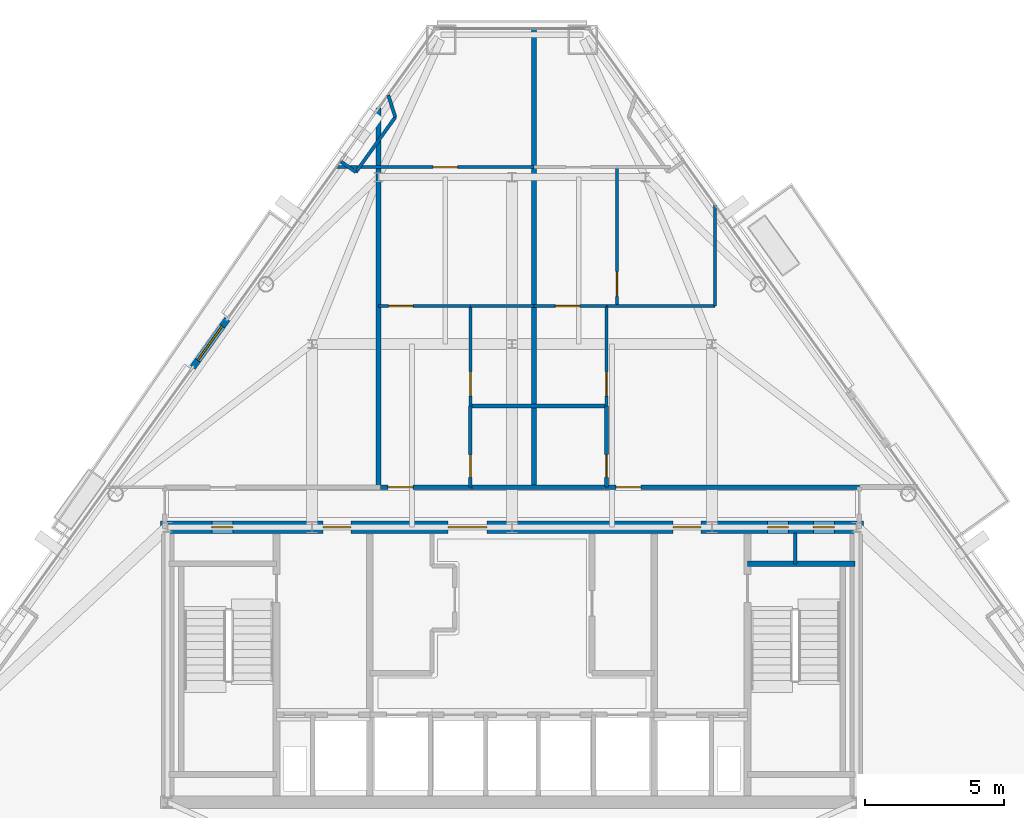
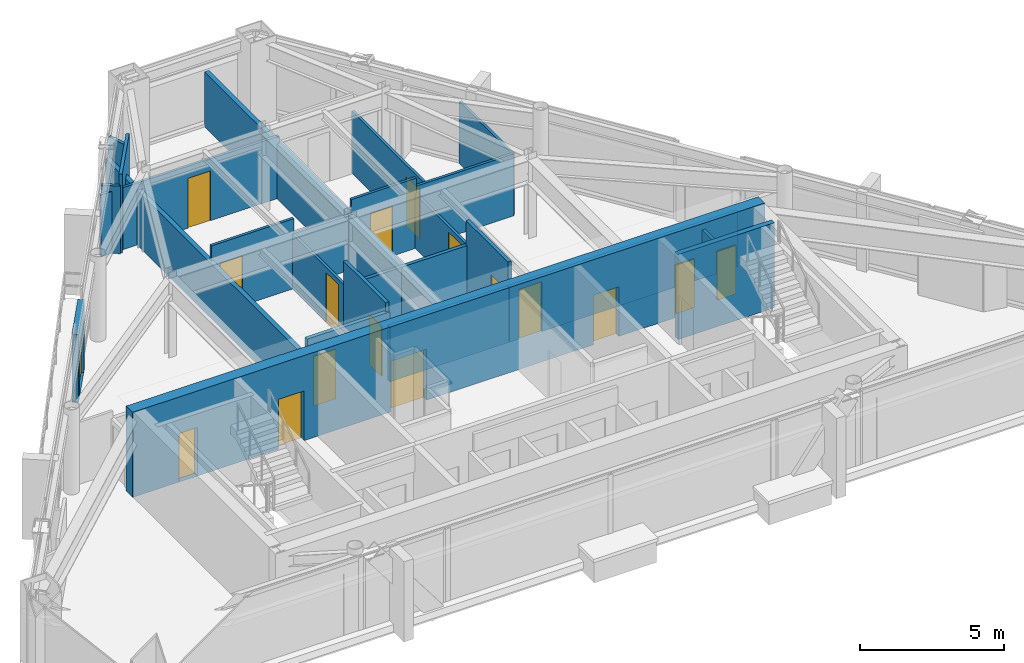
# One storey, part 8 of 11: 24 walls, 17 doors, 17 openings.
"""IFC4 building model written with IfcOpenShell, lengths in metres."""

from ifc_helpers import new_model, si_unit, direction, frame, frame_2d, origin, place, context, subcontext, project, spatial, rectangle, extrude, material, layer, layer_set, type_object, element, fill, save


model = new_model("IFC4")

# Units and contexts
model_context = context("Model", 3, precision=1e-05, world=origin(), true_north=direction((0.0, 1.0)))
body_context = subcontext(model_context, "Body", "Model", "MODEL_VIEW")
ifc_project = project(units=[si_unit("LENGTHUNIT", "METRE"), si_unit("AREAUNIT", "SQUARE_METRE"), si_unit("VOLUMEUNIT", "CUBIC_METRE"), si_unit("PLANEANGLEUNIT", "RADIAN"), si_unit("MASSUNIT", "GRAM", prefix="KILO")], contexts=[model_context])

# Site, building, storey
site_placement = place(None, origin())
site = spatial("IfcSite", under=ifc_project, at=site_placement, CompositionType="ELEMENT")
building_placement = place(site_placement, origin())
building = spatial("IfcBuilding", under=site, at=building_placement, Name="Talgorran Terracotta Tower", CompositionType="ELEMENT")
storey_placement = place(building_placement, frame((0.0, 0.0, 233.39990234375)))
storey = spatial("IfcBuildingStorey", under=building, at=storey_placement, Name="L61", CompositionType="ELEMENT", Elevation=233.39990234375)

# Wall, opening, door
ifc_material_1 = material(Name="Concrete C40/50", Category="concrete")
ifc_layer_1 = layer(ifc_material_1, 0.239990234375, Name="WT_BALCONY_SPAND")
ifc_layer_set_1 = layer_set([ifc_layer_1], Name="Concrete C40/50")
wall_type_1 = type_object("IfcWallType", Name="WT_BALCONY_SPAND", PredefinedType="STANDARD", material=ifc_layer_set_1)
wall_1_placement = place(storey_placement, frame((-10.248779296875, 3.293212890625, -0.014892578125), z_axis=(0.0, 0.0, 1.0), x_axis=(-0.58265081445, -0.812722602381, 0.0)))
wall_1 = element("IfcWall", 1, at=wall_1_placement, inside=storey, type_object=wall_type_1, Name="WL-L61-BALP-BAL-NW", PredefinedType="STANDARD", context=body_context, shape_type="SweptSolid", body=[
    extrude(rectangle(XDim=2.140380859375, YDim=0.239990234375, at=frame_2d((1.0703125, 0.0))), origin(), (0.0, 0.0, 1.0), 2.8779296875),
])
opening_1_placement = place(wall_1_placement, frame((0.320068359375, 0.0, 0.014892578125)))
opening_1 = element("IfcOpeningElement", 2, at=opening_1_placement, cuts=wall_1, Name="Opening D-BAL-L61-2", PredefinedType="OPENING", context=body_context, shape_type="SweptSolid", body=[
    extrude(rectangle(XDim=1.506, YDim=2.203951171875, at=frame_2d((0.75, 1.10205078125))), frame((0.0, 0.1298828125, 0.0), z_axis=(0.0, -1.0, 0.0), x_axis=(1.0, 0.0, 0.0)), (0.0, 0.0, 1.0), 0.260009765625),
])
ifc_material_2 = material(Name="Thermally Broken Aluminium", Category="aluminium")
door_type_1 = type_object("IfcDoorType", Name="DT_BALC_1500", OperationType="SLIDING_TO_RIGHT", PredefinedType="DOOR", material=ifc_material_2)
door_1_placement = place(opening_1_placement, origin())
door_1 = element("IfcDoor", 3, at=door_1_placement, inside=storey, type_object=door_type_1, Name="DR-L61-BAL-BAL-NW", OperationType="SLIDING_TO_RIGHT", OverallHeight=2.199951171875, OverallWidth=1.5, PredefinedType="DOOR", context=body_context, shape_type="SweptSolid", body=[
    extrude(rectangle(XDim=1.5, YDim=2.199951171875, at=frame_2d((0.75, 1.10009765625))), frame((0.0, 0.02490234375, 0.0), z_axis=(0.0, -1.0, 0.0), x_axis=(1.0, 0.0, 0.0)), (0.0, 0.0, 1.0), 0.050048828125),
])
fill(opening_1, door_1)

# Wall
ifc_material_3 = material(Name="Concrete C50/60", Category="concrete")
ifc_layer_2 = layer(ifc_material_3, 0.199951171875, Name="WT_CORE_200")
ifc_layer_set_2 = layer_set([ifc_layer_2], Name="Concrete C50/60")
wall_type_2 = type_object("IfcWallType", Name="WT_CORE_200", PredefinedType="SOLIDWALL", material=ifc_layer_set_2)
wall_2_placement = place(storey_placement, frame((8.47998046875, -5.52001953125, 0.0), z_axis=(0.0, 0.0, 1.0), x_axis=(1.0, 0.0, 0.0)))
element("IfcWall", 4, at=wall_2_placement, inside=storey, type_object=wall_type_2, Name="WL-L61-CW-ST2-N", PredefinedType="SOLIDWALL", context=body_context, shape_type="SweptSolid", body=[
    extrude(rectangle(XDim=3.8701171875, YDim=0.199951171875, at=frame_2d((1.93505859375, 0.0))), origin(), (0.0, 0.0, 1.0), 3.60009765625),
])

# Wall, openings, doors
ifc_material_4 = material(Name="Concrete C65/80", Category="concrete")
ifc_layer_3 = layer(ifc_material_4, 0.449951171875, Name="WT_CORE_EXT")
ifc_layer_set_3 = layer_set([ifc_layer_3], Name="Concrete C65/80")
wall_type_3 = type_object("IfcWallType", Name="WT_CORE_EXT", PredefinedType="SHEAR", material=ifc_layer_set_3)
wall_3_placement = place(storey_placement, frame((-12.64990234375, -4.199951171875, 0.0), z_axis=(0.0, 0.0, 1.0), x_axis=(1.0, 0.0, 0.0)))
wall_3 = element("IfcWall", 5, at=wall_3_placement, inside=storey, type_object=wall_type_3, Name="WL-L61-CW-OUT-N", PredefinedType="SHEAR", context=body_context, shape_type="SweptSolid", body=[
    extrude(rectangle(XDim=25.2998046875, YDim=0.449951171875, at=frame_2d((12.64990234375, 0.0))), origin(), (0.0, 0.0, 1.0), 3.60009765625),
])
opening_2_placement = place(wall_3_placement, frame((1.85009765625, 0.0, 0.0)))
opening_2 = element("IfcOpeningElement", 6, at=opening_2_placement, cuts=wall_3, Name="Opening DR-CSN1", PredefinedType="OPENING", context=body_context, shape_type="SweptSolid", body=[
    extrude(rectangle(XDim=0.756, YDim=2.054048828125, at=frame_2d((0.375, 1.027099609375))), frame((0.0, 0.23486328125, 0.0), z_axis=(0.0, -1.0, 0.0), x_axis=(1.0, 0.0, 0.0)), (0.0, 0.0, 1.0), 0.469970703125),
])
opening_3_placement = place(wall_3_placement, frame((21.85009765625, 0.0, 0.0)))
opening_3 = element("IfcOpeningElement", 7, at=opening_3_placement, cuts=wall_3, Name="Opening DR-CSN2", PredefinedType="OPENING", context=body_context, shape_type="SweptSolid", body=[
    extrude(rectangle(XDim=0.756, YDim=2.054048828125, at=frame_2d((0.375, 1.027099609375))), frame((0.0, 0.23486328125, 0.0), z_axis=(0.0, -1.0, 0.0), x_axis=(1.0, 0.0, 0.0)), (0.0, 0.0, 1.0), 0.469970703125),
])
opening_4_placement = place(wall_3_placement, frame((23.5, 0.0, 0.0)))
opening_4 = element("IfcOpeningElement", 8, at=opening_4_placement, cuts=wall_3, Name="Opening DR-CSN3", PredefinedType="OPENING", context=body_context, shape_type="SweptSolid", body=[
    extrude(rectangle(XDim=0.756, YDim=2.054048828125, at=frame_2d((0.375, 1.027099609375))), frame((0.0, 0.23486328125, 0.0), z_axis=(0.0, -1.0, 0.0), x_axis=(1.0, 0.0, 0.0)), (0.0, 0.0, 1.0), 0.469970703125),
])
opening_5_placement = place(wall_3_placement, frame((5.85009765625, 0.0, 0.0)))
opening_5 = element("IfcOpeningElement", 9, at=opening_5_placement, cuts=wall_3, Name="Opening DR-FFLW-N", PredefinedType="OPENING", context=body_context, shape_type="SweptSolid", body=[
    extrude(rectangle(XDim=1.006, YDim=2.10409765625, at=frame_2d((0.5, 1.052001953125))), frame((0.0, 0.23486328125, 0.0), z_axis=(0.0, -1.0, 0.0), x_axis=(1.0, 0.0, 0.0)), (0.0, 0.0, 1.0), 0.469970703125),
])
opening_6_placement = place(wall_3_placement, frame((10.35009765625, 0.0, 0.0)))
opening_6 = element("IfcOpeningElement", 10, at=opening_6_placement, cuts=wall_3, Name="Opening DR-PLL-N", PredefinedType="OPENING", context=body_context, shape_type="SweptSolid", body=[
    extrude(rectangle(XDim=1.40590234375, YDim=2.15390234375, at=frame_2d((0.699951171875, 1.076904296875))), frame((0.0, 0.23486328125, 0.0), z_axis=(0.0, -1.0, 0.0), x_axis=(1.0, 0.0, 0.0)), (0.0, 0.0, 1.0), 0.469970703125),
])
opening_7_placement = place(wall_3_placement, frame((18.449951171875, 0.0, 0.0)))
opening_7 = element("IfcOpeningElement", 11, at=opening_7_placement, cuts=wall_3, Name="Opening DR-FFLE-N", PredefinedType="OPENING", context=body_context, shape_type="SweptSolid", body=[
    extrude(rectangle(XDim=1.006, YDim=2.10409765625, at=frame_2d((0.5, 1.052001953125))), frame((0.0, 0.23486328125, 0.0), z_axis=(0.0, -1.0, 0.0), x_axis=(1.0, 0.0, 0.0)), (0.0, 0.0, 1.0), 0.469970703125),
])
ifc_material_5 = material(Name="Acoustic Glazed Timber", Category="wood")
door_type_2 = type_object("IfcDoorType", Name="DT_DOUBLE_1400", OperationType="DOUBLE_DOOR_SINGLE_SWING", PredefinedType="DOOR", material=ifc_material_5)
door_2_placement = place(opening_6_placement, origin())
door_2 = element("IfcDoor", 12, at=door_2_placement, inside=storey, type_object=door_type_2, Name="DR-PLL-N", OperationType="DOUBLE_DOOR_SINGLE_SWING", OverallHeight=2.14990234375, OverallWidth=1.39990234375, PredefinedType="DOOR", context=body_context, shape_type="SweptSolid", body=[
    extrude(rectangle(XDim=1.39990234375, YDim=2.14990234375, at=frame_2d((0.699951171875, 1.074951171875))), frame((0.0, 0.02490234375, 0.0), z_axis=(0.0, -1.0, 0.0), x_axis=(1.0, 0.0, 0.0)), (0.0, 0.0, 1.0), 0.050048828125),
])
fill(opening_6, door_2)
ifc_material_6 = material(Name="Fire-Rated Pressed Steel", Category="steel")
door_type_3 = type_object("IfcDoorType", Name="DT_FIRE_1000", OperationType="NOTDEFINED", PredefinedType="DOOR", material=ifc_material_6)
door_3_placement = place(opening_5_placement, origin())
door_3 = element("IfcDoor", 13, at=door_3_placement, inside=storey, type_object=door_type_3, Name="DR-FFLW-N", OperationType="SINGLE_SWING_LEFT", OverallHeight=2.10009765625, OverallWidth=1.0, PredefinedType="DOOR", context=body_context, shape_type="SweptSolid", body=[
    extrude(rectangle(XDim=1.0, YDim=2.10009765625, at=frame_2d((0.5, 1.050048828125))), frame((0.0, 0.02490234375, 0.0), z_axis=(0.0, -1.0, 0.0), x_axis=(1.0, 0.0, 0.0)), (0.0, 0.0, 1.0), 0.050048828125),
])
fill(opening_5, door_3)
door_4_placement = place(opening_7_placement, origin())
door_4 = element("IfcDoor", 14, at=door_4_placement, inside=storey, type_object=door_type_3, Name="DR-FFLE-N", OperationType="SINGLE_SWING_RIGHT", OverallHeight=2.10009765625, OverallWidth=1.0, PredefinedType="DOOR", context=body_context, shape_type="SweptSolid", body=[
    extrude(rectangle(XDim=1.0, YDim=2.10009765625, at=frame_2d((0.5, 1.050048828125))), frame((0.0, 0.02490234375, 0.0), z_axis=(0.0, -1.0, 0.0), x_axis=(1.0, 0.0, 0.0)), (0.0, 0.0, 1.0), 0.050048828125),
])
fill(opening_7, door_4)
door_type_4 = type_object("IfcDoorType", Name="DT_RISER_750", OperationType="NOTDEFINED", PredefinedType="DOOR", material=ifc_material_6)
door_5_placement = place(opening_2_placement, origin())
door_5 = element("IfcDoor", 15, at=door_5_placement, inside=storey, type_object=door_type_4, Name="DR-CSN1", OperationType="SINGLE_SWING_LEFT", OverallHeight=2.050048828125, OverallWidth=0.75, PredefinedType="DOOR", context=body_context, shape_type="SweptSolid", body=[
    extrude(rectangle(XDim=0.75, YDim=2.050048828125, at=frame_2d((0.375, 1.02490234375))), frame((0.0, 0.02490234375, 0.0), z_axis=(0.0, -1.0, 0.0), x_axis=(1.0, 0.0, 0.0)), (0.0, 0.0, 1.0), 0.050048828125),
])
fill(opening_2, door_5)
door_6_placement = place(opening_3_placement, origin())
door_6 = element("IfcDoor", 16, at=door_6_placement, inside=storey, type_object=door_type_4, Name="DR-CSN2", OperationType="SINGLE_SWING_LEFT", OverallHeight=2.050048828125, OverallWidth=0.75, PredefinedType="DOOR", context=body_context, shape_type="SweptSolid", body=[
    extrude(rectangle(XDim=0.75, YDim=2.050048828125, at=frame_2d((0.375, 1.02490234375))), frame((0.0, 0.02490234375, 0.0), z_axis=(0.0, -1.0, 0.0), x_axis=(1.0, 0.0, 0.0)), (0.0, 0.0, 1.0), 0.050048828125),
])
fill(opening_3, door_6)
door_7_placement = place(opening_4_placement, origin())
door_7 = element("IfcDoor", 17, at=door_7_placement, inside=storey, type_object=door_type_4, Name="DR-CSN3", OperationType="SINGLE_SWING_RIGHT", OverallHeight=2.050048828125, OverallWidth=0.75, PredefinedType="DOOR", context=body_context, shape_type="SweptSolid", body=[
    extrude(rectangle(XDim=0.75, YDim=2.050048828125, at=frame_2d((0.375, 1.02490234375))), frame((0.0, 0.02490234375, 0.0), z_axis=(0.0, -1.0, 0.0), x_axis=(1.0, 0.0, 0.0)), (0.0, 0.0, 1.0), 0.050048828125),
])
fill(opening_4, door_7)

# Wall, opening, door
ifc_material_7 = material(Name="Fire-Rated Steel Stud Plasterboard", Category="steel")
ifc_layer_4 = layer(ifc_material_7, 0.14990234375, Name="WT_FIRE_150")
ifc_layer_set_4 = layer_set([ifc_layer_4], Name="Fire-Rated Steel Stud Plasterboard")
wall_type_4 = type_object("IfcWallType", Name="WT_FIRE_150", PredefinedType="PARTITIONING", material=ifc_layer_set_4)
wall_4_placement = place(storey_placement, frame((3.340087890625, -2.760009765625, 0.0), z_axis=(0.0, 0.0, 1.0), x_axis=(1.0, 0.0, 0.0)))
wall_4 = element("IfcWall", 18, at=wall_4_placement, inside=storey, type_object=wall_type_4, Name="WL-L61-W-L61-R07", PredefinedType="PARTITIONING", context=body_context, shape_type="SweptSolid", body=[
    extrude(rectangle(XDim=9.159912109375, YDim=0.14990234375, at=frame_2d((4.580078125, 0.0))), origin(), (0.0, 0.0, 1.0), 2.320068359375),
])
opening_8_placement = place(wall_4_placement, frame((0.3994140625, 0.0, 0.0)))
opening_8 = element("IfcOpeningElement", 19, at=opening_8_placement, cuts=wall_4, Name="Opening DR-L61-R11", PredefinedType="OPENING", context=body_context, shape_type="SweptSolid", body=[
    extrude(rectangle(XDim=0.90590234375, YDim=2.10409765625, at=frame_2d((0.449951171875, 1.052001953125))), frame((0.0, 0.0849609375, 0.0), z_axis=(0.0, -1.0, 0.0), x_axis=(1.0, 0.0, 0.0)), (0.0, 0.0, 1.0), 0.169921875),
])
ifc_material_8 = material(Name="Fire-Rated Timber Core", Category="wood")
door_type_5 = type_object("IfcDoorType", Name="DT_FIRE_900", OperationType="NOTDEFINED", PredefinedType="DOOR", material=ifc_material_8)
door_8_placement = place(opening_8_placement, origin())
door_8 = element("IfcDoor", 20, at=door_8_placement, inside=storey, type_object=door_type_5, Name="DR-L61-R11", OperationType="SINGLE_SWING_LEFT", OverallHeight=2.10009765625, OverallWidth=0.89990234375, PredefinedType="DOOR", context=body_context, shape_type="SweptSolid", body=[
    extrude(rectangle(XDim=0.89990234375, YDim=2.10009765625, at=frame_2d((0.449951171875, 1.050048828125))), frame((0.0, 0.02490234375, 0.0), z_axis=(0.0, -1.0, 0.0), x_axis=(1.0, 0.0, 0.0)), (0.0, 0.0, 1.0), 0.050048828125),
])
fill(opening_8, door_8)

wall_5_placement = place(storey_placement, frame((-4.738037109375, -2.760009765625, 0.0), z_axis=(0.0, 0.0, 1.0), x_axis=(1.0, 0.0, 0.0)))
wall_5 = element("IfcWall", 21, at=wall_5_placement, inside=storey, type_object=wall_type_4, Name="WL-L61-W-L61-R05", PredefinedType="PARTITIONING", context=body_context, shape_type="SweptSolid", body=[
    extrude(rectangle(XDim=3.298095703125, YDim=0.14990234375, at=frame_2d((1.64892578125, 0.0))), origin(), (0.0, 0.0, 1.0), 2.964599609375),
])
opening_9_placement = place(wall_5_placement, frame((0.273193359375, 0.0, 0.0)))
opening_9 = element("IfcOpeningElement", 22, at=opening_9_placement, cuts=wall_5, Name="Opening DR-L61-R06", PredefinedType="OPENING", context=body_context, shape_type="SweptSolid", body=[
    extrude(rectangle(XDim=0.90590234375, YDim=2.10409765625, at=frame_2d((0.449951171875, 1.052001953125))), frame((0.0, 0.0849609375, 0.0), z_axis=(0.0, -1.0, 0.0), x_axis=(1.0, 0.0, 0.0)), (0.0, 0.0, 1.0), 0.169921875),
])
door_9_placement = place(opening_9_placement, origin())
door_9 = element("IfcDoor", 23, at=door_9_placement, inside=storey, type_object=door_type_5, Name="DR-L61-R06", OperationType="SINGLE_SWING_RIGHT", OverallHeight=2.10009765625, OverallWidth=0.89990234375, PredefinedType="DOOR", context=body_context, shape_type="SweptSolid", body=[
    extrude(rectangle(XDim=0.89990234375, YDim=2.10009765625, at=frame_2d((0.449951171875, 1.050048828125))), frame((0.0, 0.02490234375, 0.0), z_axis=(0.0, -1.0, 0.0), x_axis=(1.0, 0.0, 0.0)), (0.0, 0.0, 1.0), 0.050048828125),
])
fill(opening_9, door_9)

# Walls
wall_6_placement = place(storey_placement, frame((-1.43798828125, -2.760009765625, 0.0), z_axis=(0.0, 0.0, 1.0), x_axis=(1.0, 0.0, 0.0)))
element("IfcWall", 24, at=wall_6_placement, inside=storey, type_object=wall_type_4, Name="WL-L61-W-L61-R06", PredefinedType="PARTITIONING", context=body_context, shape_type="SweptSolid", body=[
    extrude(rectangle(XDim=4.77587890625, YDim=0.14990234375, at=frame_2d((2.387939453125, 0.0))), origin(), (0.0, 0.0, 1.0), 2.320068359375),
])
ifc_material_9 = material(Name="Acoustic Stud and Plasterboard")
ifc_layer_5 = layer(ifc_material_9, 0.179931640625, Name="WT_PARTY_200")
ifc_layer_set_5 = layer_set([ifc_layer_5], Name="Acoustic Stud and Plasterboard")
wall_type_5 = type_object("IfcWallType", Name="WT_PARTY_200", PredefinedType="PARTITIONING", material=ifc_layer_set_5)
wall_7_placement = place(storey_placement, frame((-4.800048828125, -2.739990234375, 0.0), z_axis=(0.0, 0.0, 1.0), x_axis=(0.0, 1.0, 0.0)))
element("IfcWall", 25, at=wall_7_placement, inside=storey, type_object=wall_type_5, Name="WL-L61-W-L61-R11", PredefinedType="PARTITIONING", context=body_context, shape_type="SweptSolid", body=[
    extrude(rectangle(XDim=13.63330078125, YDim=0.179931640625, at=frame_2d((6.816650390625, 0.0))), origin(), (0.0, 0.0, 1.0), 2.320068359375),
])
wall_8_placement = place(storey_placement, frame((0.800048828125, -2.760009765625, 0.0), z_axis=(0.0, 0.0, 1.0), x_axis=(0.0, 1.0, 0.0)))
element("IfcWall", 26, at=wall_8_placement, inside=storey, type_object=wall_type_5, Name="WL-L61-W-L61-R21", PredefinedType="PARTITIONING", context=body_context, shape_type="SweptSolid", body=[
    extrude(rectangle(XDim=16.508544921875, YDim=0.179931640625, at=frame_2d((8.25439453125, 0.0))), origin(), (0.0, 0.0, 1.0), 2.320068359375),
])

# Wall, opening, door
ifc_material_10 = material(Name="Lightweight Steel Stud Partition", Category="steel")
ifc_layer_6 = layer(ifc_material_10, 0.10498046875, Name="WT_PART_110")
ifc_layer_set_6 = layer_set([ifc_layer_6], Name="Lightweight Steel Stud Partition")
wall_type_6 = type_object("IfcWallType", Name="WT_PART_110", PredefinedType="PARTITIONING", material=ifc_layer_set_6)
wall_9_placement = place(storey_placement, frame((-6.329345703125, 8.760009765625, 0.0), z_axis=(0.0, 0.0, 1.0), x_axis=(1.0, 0.0, 0.0)))
wall_9 = element("IfcWall", 27, at=wall_9_placement, inside=storey, type_object=wall_type_6, Name="WL-L61-W-L61-R20", PredefinedType="PARTITIONING", context=body_context, shape_type="SweptSolid", body=[
    extrude(rectangle(XDim=7.12939453125, YDim=0.10498046875, at=frame_2d((3.564697265625, 0.0))), origin(), (0.0, 0.0, 1.0), 2.6201171875),
])
opening_10_placement = place(wall_9_placement, frame((3.489501953125, 0.0, 0.0)))
opening_10 = element("IfcOpeningElement", 28, at=opening_10_placement, cuts=wall_9, Name="Opening DR-L61-R08", PredefinedType="OPENING", context=body_context, shape_type="SweptSolid", body=[
    extrude(rectangle(XDim=0.8858828125, YDim=2.10409765625, at=frame_2d((0.43994140625, 1.052001953125))), frame((0.0, 0.0625, 0.0), z_axis=(0.0, -1.0, 0.0), x_axis=(1.0, 0.0, 0.0)), (0.0, 0.0, 1.0), 0.125),
])
ifc_material_11 = material(Name="Solid-Core Painted Timber", Category="wood")
door_type_6 = type_object("IfcDoorType", Name="DT_INT_880", OperationType="NOTDEFINED", PredefinedType="DOOR", material=ifc_material_11)
door_10_placement = place(opening_10_placement, origin())
door_10 = element("IfcDoor", 29, at=door_10_placement, inside=storey, type_object=door_type_6, Name="DR-L61-R08", OperationType="SINGLE_SWING_RIGHT", OverallHeight=2.10009765625, OverallWidth=0.8798828125, PredefinedType="DOOR", context=body_context, shape_type="SweptSolid", body=[
    extrude(rectangle(XDim=0.8798828125, YDim=2.10009765625, at=frame_2d((0.43994140625, 1.050048828125))), frame((0.0, 0.02490234375, 0.0), z_axis=(0.0, -1.0, 0.0), x_axis=(1.0, 0.0, 0.0)), (0.0, 0.0, 1.0), 0.050048828125),
])
fill(opening_10, door_10)

wall_10_placement = place(storey_placement, frame((3.780029296875, 3.760009765625, 0.0), z_axis=(0.0, 0.0, 1.0), x_axis=(0.0, 1.0, 0.0)))
wall_10 = element("IfcWall", 30, at=wall_10_placement, inside=storey, type_object=wall_type_6, Name="WL-L61-W-L61-R30", PredefinedType="PARTITIONING", context=body_context, shape_type="SweptSolid", body=[
    extrude(rectangle(XDim=5.0, YDim=0.10498046875, at=frame_2d((2.5, 0.0))), origin(), (0.0, 0.0, 1.0), 2.6201171875),
])
opening_11_placement = place(wall_10_placement, frame((0.357666015625, 0.0, 0.0)))
opening_11 = element("IfcOpeningElement", 31, at=opening_11_placement, cuts=wall_10, Name="Opening DR-L61-R13", PredefinedType="OPENING", context=body_context, shape_type="SweptSolid", body=[
    extrude(rectangle(XDim=0.8858828125, YDim=2.10409765625, at=frame_2d((0.43994140625, 1.052001953125))), frame((0.0, 0.0625, 0.0), z_axis=(0.0, -1.0, 0.0), x_axis=(1.0, 0.0, 0.0)), (0.0, 0.0, 1.0), 0.125),
])
door_11_placement = place(opening_11_placement, origin())
door_11 = element("IfcDoor", 32, at=door_11_placement, inside=storey, type_object=door_type_6, Name="DR-L61-R13", OperationType="SINGLE_SWING_LEFT", OverallHeight=2.10009765625, OverallWidth=0.8798828125, PredefinedType="DOOR", context=body_context, shape_type="SweptSolid", body=[
    extrude(rectangle(XDim=0.8798828125, YDim=2.10009765625, at=frame_2d((0.43994140625, 1.050048828125))), frame((0.0, 0.02490234375, 0.0), z_axis=(0.0, -1.0, 0.0), x_axis=(1.0, 0.0, 0.0)), (0.0, 0.0, 1.0), 0.050048828125),
])
fill(opening_11, door_11)

# Wall
wall_11_placement = place(storey_placement, frame((7.300048828125, 3.760009765625, 0.0), z_axis=(0.0, 0.0, 1.0), x_axis=(0.0, 1.0, 0.0)))
element("IfcWall", 33, at=wall_11_placement, inside=storey, type_object=wall_type_6, Name="WL-L61-W-L61-R29", PredefinedType="PARTITIONING", context=body_context, shape_type="SweptSolid", body=[
    extrude(rectangle(XDim=3.646240234375, YDim=0.10498046875, at=frame_2d((1.8232421875, 0.0))), origin(), (0.0, 0.0, 1.0), 2.6201171875),
])

# Wall, opening, door
wall_12_placement = place(storey_placement, frame((-1.5, 0.159912109375, 0.0), z_axis=(0.0, 0.0, 1.0), x_axis=(0.0, 1.0, 0.0)))
wall_12 = element("IfcWall", 34, at=wall_12_placement, inside=storey, type_object=wall_type_6, Name="WL-L61-W-L61-R16", PredefinedType="PARTITIONING", context=body_context, shape_type="SweptSolid", body=[
    extrude(rectangle(XDim=3.60009765625, YDim=0.10498046875, at=frame_2d((1.800048828125, 0.0))), origin(), (0.0, 0.0, 1.0), 2.320068359375),
])
opening_12_placement = place(wall_12_placement, frame((0.360107421875, 0.0, 0.0)))
opening_12 = element("IfcOpeningElement", 35, at=opening_12_placement, cuts=wall_12, Name="Opening DR-L61-R05", PredefinedType="OPENING", context=body_context, shape_type="SweptSolid", body=[
    extrude(rectangle(XDim=0.8858828125, YDim=2.10409765625, at=frame_2d((0.43994140625, 1.052001953125))), frame((0.0, 0.0625, 0.0), z_axis=(0.0, -1.0, 0.0), x_axis=(1.0, 0.0, 0.0)), (0.0, 0.0, 1.0), 0.125),
])
door_12_placement = place(opening_12_placement, origin())
door_12 = element("IfcDoor", 36, at=door_12_placement, inside=storey, type_object=door_type_6, Name="DR-L61-R05", OperationType="SINGLE_SWING_LEFT", OverallHeight=2.10009765625, OverallWidth=0.8798828125, PredefinedType="DOOR", context=body_context, shape_type="SweptSolid", body=[
    extrude(rectangle(XDim=0.8798828125, YDim=2.10009765625, at=frame_2d((0.43994140625, 1.050048828125))), frame((0.0, 0.02490234375, 0.0), z_axis=(0.0, -1.0, 0.0), x_axis=(1.0, 0.0, 0.0)), (0.0, 0.0, 1.0), 0.050048828125),
])
fill(opening_12, door_12)

wall_13_placement = place(storey_placement, frame((3.39990234375, 0.159912109375, 0.0), z_axis=(0.0, 0.0, 1.0), x_axis=(0.0, 1.0, 0.0)))
wall_13 = element("IfcWall", 37, at=wall_13_placement, inside=storey, type_object=wall_type_6, Name="WL-L61-W-L61-R25", PredefinedType="PARTITIONING", context=body_context, shape_type="SweptSolid", body=[
    extrude(rectangle(XDim=3.60009765625, YDim=0.10498046875, at=frame_2d((1.800048828125, 0.0))), origin(), (0.0, 0.0, 1.0), 2.320068359375),
])
opening_13_placement = place(wall_13_placement, frame((0.360107421875, 0.0, 0.0)))
opening_13 = element("IfcOpeningElement", 38, at=opening_13_placement, cuts=wall_13, Name="Opening DR-L61-R10", PredefinedType="OPENING", context=body_context, shape_type="SweptSolid", body=[
    extrude(rectangle(XDim=0.8858828125, YDim=2.10409765625, at=frame_2d((0.43994140625, 1.052001953125))), frame((0.0, 0.0625, 0.0), z_axis=(0.0, -1.0, 0.0), x_axis=(1.0, 0.0, 0.0)), (0.0, 0.0, 1.0), 0.125),
])
door_13_placement = place(opening_13_placement, origin())
door_13 = element("IfcDoor", 39, at=door_13_placement, inside=storey, type_object=door_type_6, Name="DR-L61-R10", OperationType="SINGLE_SWING_RIGHT", OverallHeight=2.10009765625, OverallWidth=0.8798828125, PredefinedType="DOOR", context=body_context, shape_type="SweptSolid", body=[
    extrude(rectangle(XDim=0.8798828125, YDim=2.10009765625, at=frame_2d((0.43994140625, 1.050048828125))), frame((0.0, 0.02490234375, 0.0), z_axis=(0.0, -1.0, 0.0), x_axis=(1.0, 0.0, 0.0)), (0.0, 0.0, 1.0), 0.050048828125),
])
fill(opening_13, door_13)

# Wall
wall_14_placement = place(storey_placement, frame((3.39990234375, 3.760009765625, 0.0), z_axis=(0.0, 0.0, 1.0), x_axis=(1.0, 0.0, 0.0)))
element("IfcWall", 40, at=wall_14_placement, inside=storey, type_object=wall_type_6, Name="WL-L61-W-L61-R28", PredefinedType="PARTITIONING", context=body_context, shape_type="SweptSolid", body=[
    extrude(rectangle(XDim=3.900146484375, YDim=0.10498046875, at=frame_2d((1.9501953125, 0.0))), origin(), (0.0, 0.0, 1.0), 2.6201171875),
])

# Wall, opening, door
wall_15_placement = place(storey_placement, frame((-4.800048828125, 3.760009765625, 0.0), z_axis=(0.0, 0.0, 1.0), x_axis=(1.0, 0.0, 0.0)))
wall_15 = element("IfcWall", 41, at=wall_15_placement, inside=storey, type_object=wall_type_6, Name="WL-L61-W-L61-R19", PredefinedType="PARTITIONING", context=body_context, shape_type="SweptSolid", body=[
    extrude(rectangle(XDim=3.300048828125, YDim=0.10498046875, at=frame_2d((1.64990234375, 0.0))), origin(), (0.0, 0.0, 1.0), 2.964599609375),
])
opening_14_placement = place(wall_15_placement, frame((0.35791015625, 0.0, 0.0)))
opening_14 = element("IfcOpeningElement", 42, at=opening_14_placement, cuts=wall_15, Name="Opening DR-L61-R07", PredefinedType="OPENING", context=body_context, shape_type="SweptSolid", body=[
    extrude(rectangle(XDim=0.8858828125, YDim=2.10409765625, at=frame_2d((0.43994140625, 1.052001953125))), frame((0.0, 0.0625, 0.0), z_axis=(0.0, -1.0, 0.0), x_axis=(1.0, 0.0, 0.0)), (0.0, 0.0, 1.0), 0.125),
])
door_14_placement = place(opening_14_placement, origin())
door_14 = element("IfcDoor", 43, at=door_14_placement, inside=storey, type_object=door_type_6, Name="DR-L61-R07", OperationType="SINGLE_SWING_LEFT", OverallHeight=2.10009765625, OverallWidth=0.8798828125, PredefinedType="DOOR", context=body_context, shape_type="SweptSolid", body=[
    extrude(rectangle(XDim=0.8798828125, YDim=2.10009765625, at=frame_2d((0.43994140625, 1.050048828125))), frame((0.0, 0.02490234375, 0.0), z_axis=(0.0, -1.0, 0.0), x_axis=(1.0, 0.0, 0.0)), (0.0, 0.0, 1.0), 0.050048828125),
])
fill(opening_14, door_14)

wall_16_placement = place(storey_placement, frame((0.800048828125, 3.760009765625, 0.0), z_axis=(0.0, 0.0, 1.0), x_axis=(1.0, 0.0, 0.0)))
wall_16 = element("IfcWall", 44, at=wall_16_placement, inside=storey, type_object=wall_type_6, Name="WL-L61-W-L61-R26", PredefinedType="PARTITIONING", context=body_context, shape_type="SweptSolid", body=[
    extrude(rectangle(XDim=2.599853515625, YDim=0.10498046875, at=frame_2d((1.2998046875, 0.0))), origin(), (0.0, 0.0, 1.0), 2.964599609375),
])
opening_15_placement = place(wall_16_placement, frame((0.760009765625, 0.0, 0.0)))
opening_15 = element("IfcOpeningElement", 45, at=opening_15_placement, cuts=wall_16, Name="Opening DR-L61-R14", PredefinedType="OPENING", context=body_context, shape_type="SweptSolid", body=[
    extrude(rectangle(XDim=0.8858828125, YDim=2.10409765625, at=frame_2d((0.43994140625, 1.052001953125))), frame((0.0, 0.0625, 0.0), z_axis=(0.0, -1.0, 0.0), x_axis=(1.0, 0.0, 0.0)), (0.0, 0.0, 1.0), 0.125),
])
door_15_placement = place(opening_15_placement, origin())
door_15 = element("IfcDoor", 46, at=door_15_placement, inside=storey, type_object=door_type_6, Name="DR-L61-R14", OperationType="SINGLE_SWING_RIGHT", OverallHeight=2.10009765625, OverallWidth=0.8798828125, PredefinedType="DOOR", context=body_context, shape_type="SweptSolid", body=[
    extrude(rectangle(XDim=0.8798828125, YDim=2.10009765625, at=frame_2d((0.43994140625, 1.050048828125))), frame((0.0, 0.02490234375, 0.0), z_axis=(0.0, -1.0, 0.0), x_axis=(1.0, 0.0, 0.0)), (0.0, 0.0, 1.0), 0.050048828125),
])
fill(opening_15, door_15)

# Walls
wall_17_placement = place(storey_placement, frame((-1.5, 3.760009765625, 0.0), z_axis=(0.0, 0.0, 1.0), x_axis=(1.0, 0.0, 0.0)))
element("IfcWall", 47, at=wall_17_placement, inside=storey, type_object=wall_type_6, Name="WL-L61-W-L61-R17", PredefinedType="PARTITIONING", context=body_context, shape_type="SweptSolid", body=[
    extrude(rectangle(XDim=2.300048828125, YDim=0.10498046875, at=frame_2d((1.14990234375, 0.0))), origin(), (0.0, 0.0, 1.0), 2.320068359375),
])
ifc_material_12 = material(Name="Insulated Steel Stud Plasterboard", Category="steel")
ifc_layer_7 = layer(ifc_material_12, 0.1201171875, Name="WT_PART_120")
ifc_layer_set_7 = layer_set([ifc_layer_7], Name="Insulated Steel Stud Plasterboard")
wall_type_7 = type_object("IfcWallType", Name="WT_PART_120", PredefinedType="PARTITIONING", material=ifc_layer_set_7)
wall_18_placement = place(storey_placement, frame((10.199951171875, -5.52001953125, 0.0), z_axis=(0.0, 0.0, 1.0), x_axis=(0.0, 1.0, 0.0)))
element("IfcWall", 48, at=wall_18_placement, inside=storey, type_object=wall_type_7, Name="WL-L61-CW-CSE-DIV", PredefinedType="PARTITIONING", context=body_context, shape_type="SweptSolid", body=[
    extrude(rectangle(XDim=1.1201171875, YDim=0.1201171875, at=frame_2d((0.56005859375, 0.0))), origin(), (0.0, 0.0, 1.0), 3.34521484375),
])
wall_19_placement = place(storey_placement, frame((-4.19873046875, 10.56494140625, 0.0), z_axis=(0.0, 0.0, 1.0), x_axis=(-0.582627952247, -0.812738992088, 0.0)))
element("IfcWall", 49, at=wall_19_placement, inside=storey, type_object=wall_type_7, Name="WL-L61-BW-L61-14", PredefinedType="PARTITIONING", context=body_context, shape_type="SweptSolid", body=[
    extrude(rectangle(XDim=2.44140625, YDim=0.1201171875, at=frame_2d((1.220703125, 0.0))), origin(), (0.0, 0.0, 1.0), 3.34521484375),
])
wall_20_placement = place(storey_placement, frame((-4.45654296875, 11.35498046875, 0.0), z_axis=(0.0, 0.0, 1.0), x_axis=(0.310228407268, -0.950662051059, 0.0)))
element("IfcWall", 50, at=wall_20_placement, inside=storey, type_object=wall_type_7, Name="WL-L61-BW-L61-13", PredefinedType="PARTITIONING", context=body_context, shape_type="SweptSolid", body=[
    extrude(rectangle(XDim=0.8310546875, YDim=0.1201171875, at=frame_2d((0.41552734375, 0.0))), origin(), (0.0, 0.0, 1.0), 2.863037109375),
])
wall_21_placement = place(storey_placement, frame((-5.62109375, 8.580810546875, 0.0), z_axis=(0.0, 0.0, 1.0), x_axis=(-0.812797002259, 0.582547022238, 0.0)))
element("IfcWall", 51, at=wall_21_placement, inside=storey, type_object=wall_type_7, Name="WL-L61-BW-L61-15", PredefinedType="PARTITIONING", context=body_context, shape_type="SweptSolid", body=[
    extrude(rectangle(XDim=0.670166015625, YDim=0.1201171875, at=frame_2d((0.3349609375, 0.0))), origin(), (0.0, 0.0, 1.0), 2.863037109375),
])

# Wall, opening, door
ifc_material_13 = material(Name="Moisture-Resistant Stud Wall")
ifc_layer_8 = layer(ifc_material_13, 0.135009765625, Name="WT_PART_135")
ifc_layer_set_8 = layer_set([ifc_layer_8], Name="Moisture-Resistant Stud Wall")
wall_type_8 = type_object("IfcWallType", Name="WT_PART_135", PredefinedType="PARTITIONING", material=ifc_layer_set_8)
wall_22_placement = place(storey_placement, frame((-1.5, -2.760009765625, 0.0), z_axis=(0.0, 0.0, 1.0), x_axis=(0.0, 1.0, 0.0)))
wall_22 = element("IfcWall", 52, at=wall_22_placement, inside=storey, type_object=wall_type_8, Name="WL-L61-W-L61-R14", PredefinedType="PARTITIONING", context=body_context, shape_type="SweptSolid", body=[
    extrude(rectangle(XDim=2.919921875, YDim=0.135009765625, at=frame_2d((1.4599609375, 0.0))), origin(), (0.0, 0.0, 1.0), 3.34521484375),
])
opening_16_placement = place(wall_22_placement, frame((0.357421875, 0.0, 0.0)))
opening_16 = element("IfcOpeningElement", 53, at=opening_16_placement, cuts=wall_22, Name="Opening DR-L61-R04", PredefinedType="OPENING", context=body_context, shape_type="SweptSolid", body=[
    extrude(rectangle(XDim=0.826068359375, YDim=2.10409765625, at=frame_2d((0.41015625, 1.052001953125))), frame((0.0, 0.07763671875, 0.0), z_axis=(0.0, -1.0, 0.0), x_axis=(1.0, 0.0, 0.0)), (0.0, 0.0, 1.0), 0.155029296875),
])
ifc_material_14 = material(Name="Moisture-Resistant Solid Timber", Category="wood")
door_type_7 = type_object("IfcDoorType", Name="DT_INT_820", OperationType="NOTDEFINED", PredefinedType="DOOR", material=ifc_material_14)
door_16_placement = place(opening_16_placement, origin())
door_16 = element("IfcDoor", 54, at=door_16_placement, inside=storey, type_object=door_type_7, Name="DR-L61-R04", OperationType="SINGLE_SWING_RIGHT", OverallHeight=2.10009765625, OverallWidth=0.820068359375, PredefinedType="DOOR", context=body_context, shape_type="SweptSolid", body=[
    extrude(rectangle(XDim=0.820068359375, YDim=2.10009765625, at=frame_2d((0.41015625, 1.050048828125))), frame((0.0, 0.02490234375, 0.0), z_axis=(0.0, -1.0, 0.0), x_axis=(1.0, 0.0, 0.0)), (0.0, 0.0, 1.0), 0.050048828125),
])
fill(opening_16, door_16)

wall_23_placement = place(storey_placement, frame((3.39990234375, -2.760009765625, 0.0), z_axis=(0.0, 0.0, 1.0), x_axis=(0.0, 1.0, 0.0)))
wall_23 = element("IfcWall", 55, at=wall_23_placement, inside=storey, type_object=wall_type_8, Name="WL-L61-W-L61-R24", PredefinedType="PARTITIONING", context=body_context, shape_type="SweptSolid", body=[
    extrude(rectangle(XDim=2.919921875, YDim=0.135009765625, at=frame_2d((1.4599609375, 0.0))), origin(), (0.0, 0.0, 1.0), 3.34521484375),
])
opening_17_placement = place(wall_23_placement, frame((0.357421875, 0.0, 0.0)))
opening_17 = element("IfcOpeningElement", 56, at=opening_17_placement, cuts=wall_23, Name="Opening DR-L61-R09", PredefinedType="OPENING", context=body_context, shape_type="SweptSolid", body=[
    extrude(rectangle(XDim=0.826068359375, YDim=2.10409765625, at=frame_2d((0.41015625, 1.052001953125))), frame((0.0, 0.07763671875, 0.0), z_axis=(0.0, -1.0, 0.0), x_axis=(1.0, 0.0, 0.0)), (0.0, 0.0, 1.0), 0.155029296875),
])
door_17_placement = place(opening_17_placement, origin())
door_17 = element("IfcDoor", 57, at=door_17_placement, inside=storey, type_object=door_type_7, Name="DR-L61-R09", OperationType="SINGLE_SWING_LEFT", OverallHeight=2.10009765625, OverallWidth=0.820068359375, PredefinedType="DOOR", context=body_context, shape_type="SweptSolid", body=[
    extrude(rectangle(XDim=0.820068359375, YDim=2.10009765625, at=frame_2d((0.41015625, 1.050048828125))), frame((0.0, 0.02490234375, 0.0), z_axis=(0.0, -1.0, 0.0), x_axis=(1.0, 0.0, 0.0)), (0.0, 0.0, 1.0), 0.050048828125),
])
fill(opening_17, door_17)

# Wall
wall_24_placement = place(storey_placement, frame((-1.5, 0.159912109375, 0.0), z_axis=(0.0, 0.0, 1.0), x_axis=(1.0, 0.0, 0.0)))
element("IfcWall", 58, at=wall_24_placement, inside=storey, type_object=wall_type_8, Name="WL-L61-W-L61-R23", PredefinedType="PARTITIONING", context=body_context, shape_type="SweptSolid", body=[
    extrude(rectangle(XDim=4.89990234375, YDim=0.135009765625, at=frame_2d((2.449951171875, 0.0))), origin(), (0.0, 0.0, 1.0), 2.320068359375),
])

save(model, "model.ifc")
